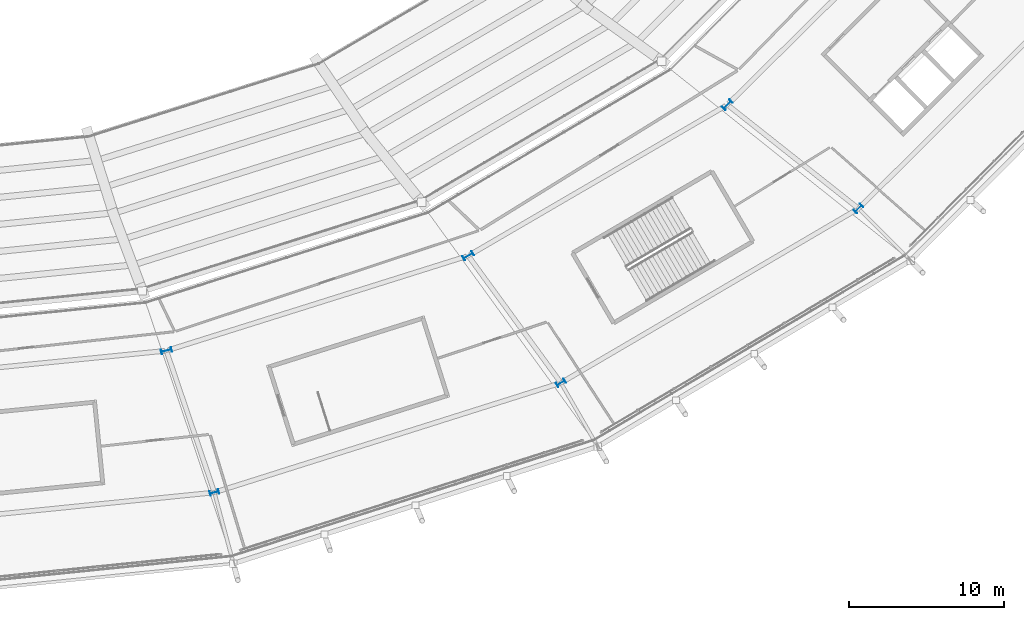
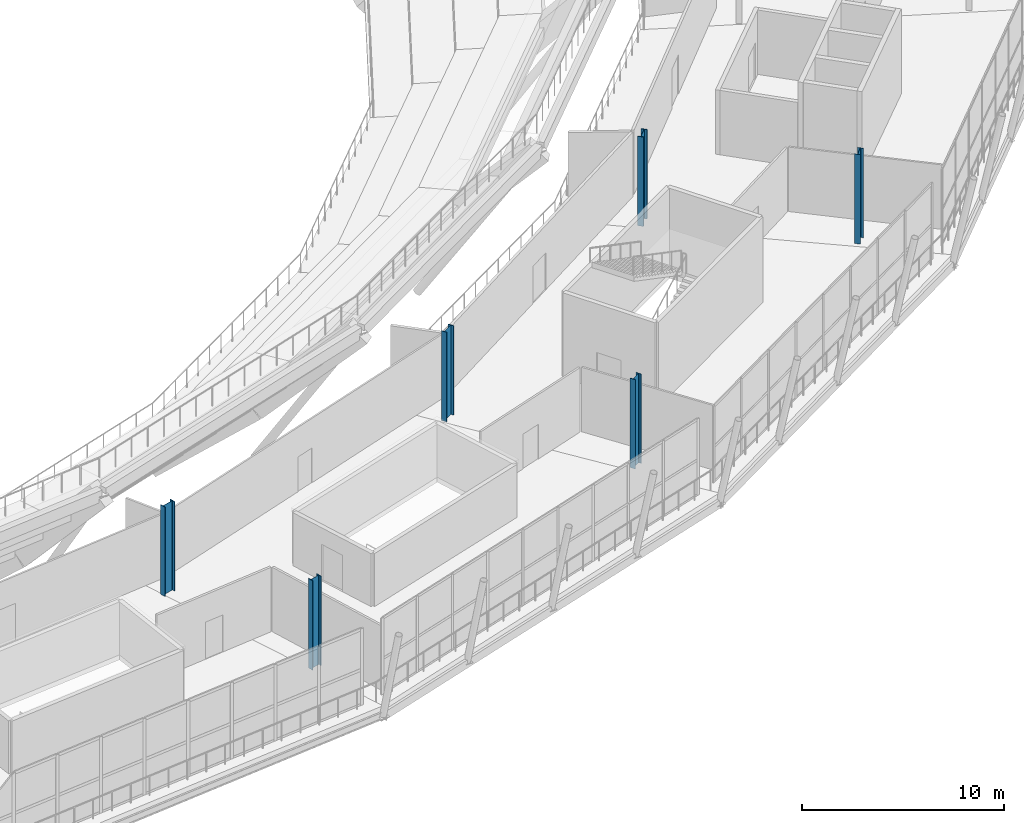
# One storey, part 7 of 126: 6 columns.
"""IFC4 building model written with IfcOpenShell, lengths in metres."""

from ifc_helpers import new_model, si_unit, direction, frame, origin, origin_2d, place, context, subcontext, project, spatial, i_section, extrude, material, material_profile, profile_set, type_object, element, save


model = new_model("IFC4")

# Units and contexts
model_context = context("Model", 3, precision=1e-05, world=origin(), true_north=direction((0.0, 1.0)))
body_context = subcontext(model_context, "Body", "Model", "MODEL_VIEW")
ifc_project = project(units=[si_unit("LENGTHUNIT", "METRE"), si_unit("AREAUNIT", "SQUARE_METRE"), si_unit("VOLUMEUNIT", "CUBIC_METRE"), si_unit("PLANEANGLEUNIT", "RADIAN"), si_unit("MASSUNIT", "GRAM", prefix="KILO")], contexts=[model_context])

# Site, building, storey
site_placement = place(None, origin())
site = spatial("IfcSite", under=ifc_project, at=site_placement, CompositionType="ELEMENT")
building_placement = place(site_placement, origin())
building = spatial("IfcBuilding", under=site, at=building_placement, Name="Zlatoyarsky Gate Stadium", CompositionType="ELEMENT")
storey_placement = place(building_placement, frame((0.0, 0.0, 20.800048828125)))
storey = spatial("IfcBuildingStorey", under=building, at=storey_placement, Name="L04", CompositionType="ELEMENT", Elevation=20.800048828125)

# Columns
ifc_material = material(Name="Steel S355", Category="steel")
ifc_material_profile_1 = material_profile(ifc_material, i_section(OverallWidth=0.300048828125, OverallDepth=0.60009765625, WebThickness=0.015380859375, FlangeThickness=0.030029296875, FilletRadius=0.027099609375, at=origin_2d()), Name="HEB 600")
ifc_profile_set_1 = profile_set([ifc_material_profile_1], Name="Steel S355")
column_type_1 = type_object("IfcColumnType", Name="STEEL COLUMN HEB 600", PredefinedType="COLUMN", material=ifc_profile_set_1)
for number, where, z_axis, x_axis, name in (
    (1, (135.0703125, 11.419189453125, 0.0), (0.0, 0.0, 1.0), (0.258819045103, -0.965925826289, 0.0), "Column ST-C600 RC-19 on L04"),
    (2, (157.5, 18.51220703125, 0.0), (0.0, 0.0, 1.0), (0.5, -0.866025403784, 0.0), "Column ST-C600 RC-20 on L04"),
    (3, (176.760986328125, 29.79541015625, 0.0), (0.0, 0.0, 1.0), (0.707106781187, -0.707106781187, 0.0), "Column ST-C600 RC-21 on L04"),
):
    element("IfcColumn", number, at=place(storey_placement, frame(where, z_axis=z_axis, x_axis=x_axis)), inside=storey, type_object=column_type_1, Name=name, PredefinedType="COLUMN", context=body_context, shape_type="SweptSolid", body=[
        extrude(i_section(OverallWidth=0.300048828125, OverallDepth=0.60009765625, WebThickness=0.015380859375, FlangeThickness=0.030029296875, FilletRadius=0.027099609375, at=origin_2d()), origin(), (0.0, 0.0, 1.0), 5.39990234375),
    ])
ifc_material_profile_2 = material_profile(ifc_material, i_section(OverallWidth=0.300048828125, OverallDepth=0.699951171875, WebThickness=0.01708984375, FlangeThickness=0.031982421875, FilletRadius=0.027099609375, at=origin_2d()), Name="HEB 700")
ifc_profile_set_2 = profile_set([ifc_material_profile_2], Name="Steel S355")
column_type_2 = type_object("IfcColumnType", Name="STEEL COLUMN HEB 700", PredefinedType="COLUMN", material=ifc_profile_set_2)
for number, where, z_axis, x_axis, name in (
    (4, (131.96435546875, 20.595703125, 0.0), (0.0, 0.0, 1.0), (0.258819045103, -0.965925826289, 0.0), "Column ST-C700 RB-19 on L04"),
    (5, (151.5, 26.739501953125, 0.0), (0.0, 0.0, 1.0), (0.5, -0.866025403784, 0.0), "Column ST-C700 RB-20 on L04"),
    (6, (168.275634765625, 36.512939453125, 0.0), (0.0, 0.0, 1.0), (0.707106781187, -0.707106781187, 0.0), "Column ST-C700 RB-21 on L04"),
):
    element("IfcColumn", number, at=place(storey_placement, frame(where, z_axis=z_axis, x_axis=x_axis)), inside=storey, type_object=column_type_2, Name=name, PredefinedType="COLUMN", context=body_context, shape_type="SweptSolid", body=[
        extrude(i_section(OverallWidth=0.300048828125, OverallDepth=0.699951171875, WebThickness=0.01708984375, FlangeThickness=0.031982421875, FilletRadius=0.027099609375, at=origin_2d()), origin(), (0.0, 0.0, 1.0), 5.39990234375),
    ])

save(model, "model.ifc")
